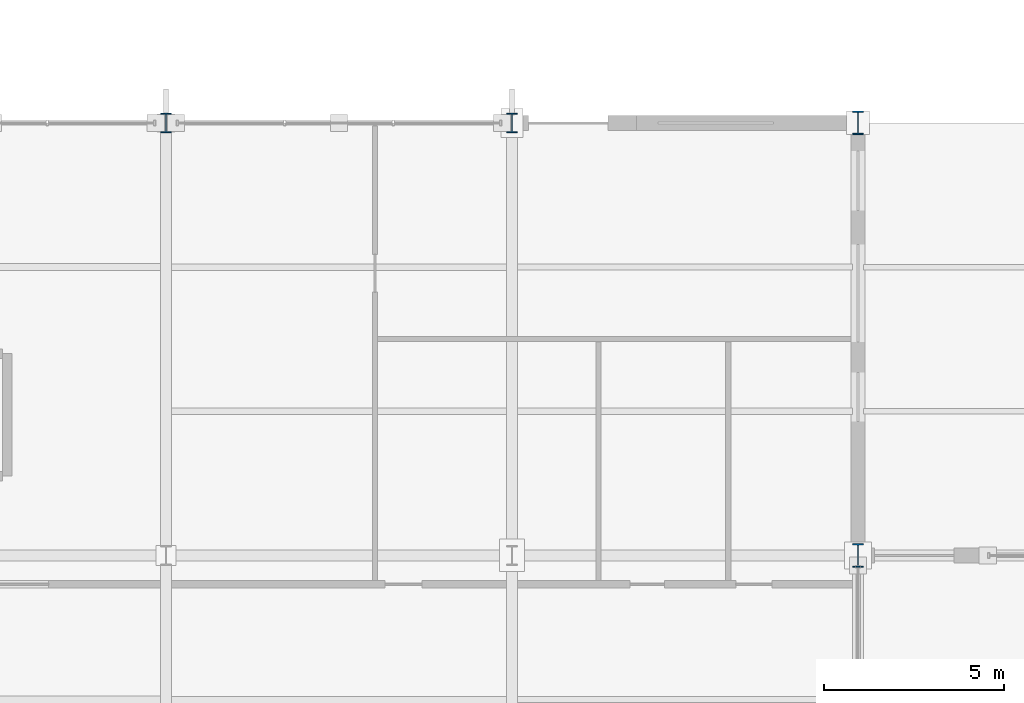
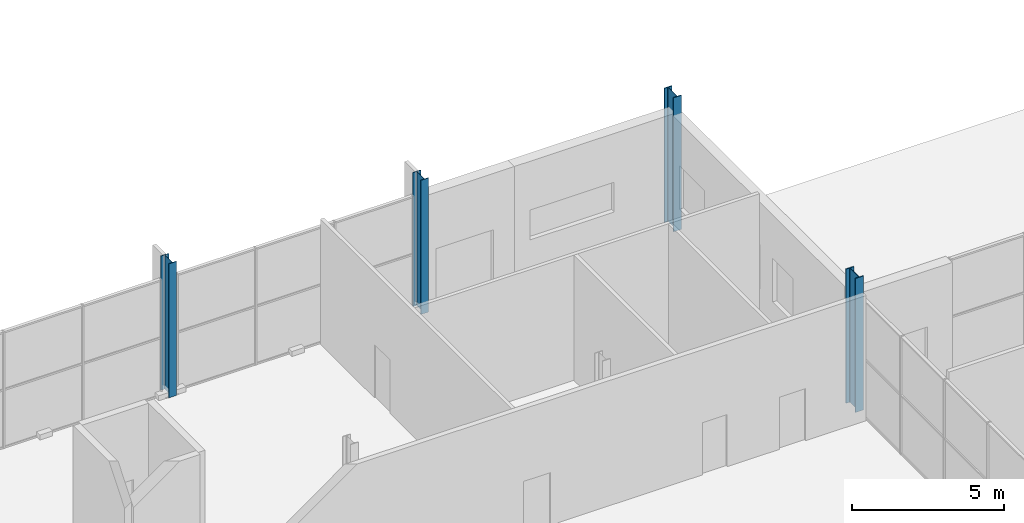
# One storey, part 12 of 196: 4 columns.
"""IFC4 building model written with IfcOpenShell, lengths in metres."""

from ifc_helpers import new_model, si_unit, direction, frame, origin, origin_2d, place, context, subcontext, project, spatial, i_section, extrude, material, material_profile, profile_set, type_object, element, save


model = new_model("IFC4")

# Units and contexts
model_context = context("Model", 3, precision=1e-05, world=origin(), true_north=direction((0.0, 1.0)))
body_context = subcontext(model_context, "Body", "Model", "MODEL_VIEW")
ifc_project = project(units=[si_unit("LENGTHUNIT", "METRE"), si_unit("AREAUNIT", "SQUARE_METRE"), si_unit("VOLUMEUNIT", "CUBIC_METRE"), si_unit("PLANEANGLEUNIT", "RADIAN"), si_unit("MASSUNIT", "GRAM", prefix="KILO")], contexts=[model_context])

# Site, building, storey
site_placement = place(None, origin())
site = spatial("IfcSite", under=ifc_project, at=site_placement, CompositionType="ELEMENT")
building_placement = place(site_placement, origin())
building = spatial("IfcBuilding", under=site, at=building_placement, Name="Merenkruunu Market Hall", CompositionType="ELEMENT")
storey_placement = place(building_placement, origin())
storey = spatial("IfcBuildingStorey", under=building, at=storey_placement, Name="L00", CompositionType="ELEMENT", Elevation=0.0)

# Columns
ifc_material_1 = material(Name="Steel S355ML", Category="steel")
ifc_material_profile_1 = material_profile(ifc_material_1, i_section(OverallWidth=0.300048828125, OverallDepth=0.64990234375, WebThickness=0.01611328125, FlangeThickness=0.031005859375, FilletRadius=0.027099609375, at=origin_2d()), Name="HEB 650")
ifc_profile_set_1 = profile_set([ifc_material_profile_1], Name="Steel S355ML")
column_type_1 = type_object("IfcColumnType", Name="Structural Column C01", PredefinedType="COLUMN", material=ifc_profile_set_1)
for number, where, z_axis, x_axis, name in (
    (1, (57.60009765625, 99.60009765625, 0.0), (0.0, 0.0, 1.0), (1.0, 0.0, 0.0), "COL-L00-G-11"),
    (2, (57.60009765625, 111.60009765625, 0.0), (0.0, 0.0, 1.0), (1.0, 0.0, 0.0), "COL-L00-G-12"),
):
    element("IfcColumn", number, at=place(storey_placement, frame(where, z_axis=z_axis, x_axis=x_axis)), inside=storey, type_object=column_type_1, Name=name, PredefinedType="COLUMN", context=body_context, shape_type="SweptSolid", body=[
        extrude(i_section(OverallWidth=0.300048828125, OverallDepth=0.64990234375, WebThickness=0.01611328125, FlangeThickness=0.031005859375, FilletRadius=0.027099609375, at=origin_2d()), origin(), (0.0, 0.0, 1.0), 5.39990234375),
    ])
ifc_material_2 = material(Name="Steel S355J2", Category="steel")
ifc_material_profile_2 = material_profile(ifc_material_2, i_section(OverallWidth=0.300048828125, OverallDepth=0.5400390625, WebThickness=0.012451171875, FlangeThickness=0.02392578125, FilletRadius=0.027099609375, at=origin_2d()), Name="HEA 550")
ifc_profile_set_2 = profile_set([ifc_material_profile_2], Name="Steel S355J2")
column_type_2 = type_object("IfcColumnType", Name="Structural Column C06", PredefinedType="COLUMN", material=ifc_profile_set_2)
for number, where, z_axis, x_axis, name in (
    (3, (38.39990234375, 111.60009765625, 0.0), (0.0, 0.0, 1.0), (1.0, 0.0, 0.0), "COL-L00-E-12"),
    (4, (48.0, 111.60009765625, 0.0), (0.0, 0.0, 1.0), (1.0, 0.0, 0.0), "COL-L00-F-12"),
):
    element("IfcColumn", number, at=place(storey_placement, frame(where, z_axis=z_axis, x_axis=x_axis)), inside=storey, type_object=column_type_2, Name=name, PredefinedType="COLUMN", context=body_context, shape_type="SweptSolid", body=[
        extrude(i_section(OverallWidth=0.300048828125, OverallDepth=0.5400390625, WebThickness=0.012451171875, FlangeThickness=0.02392578125, FilletRadius=0.027099609375, at=origin_2d()), origin(), (0.0, 0.0, 1.0), 5.39990234375),
    ])

save(model, "model.ifc")
